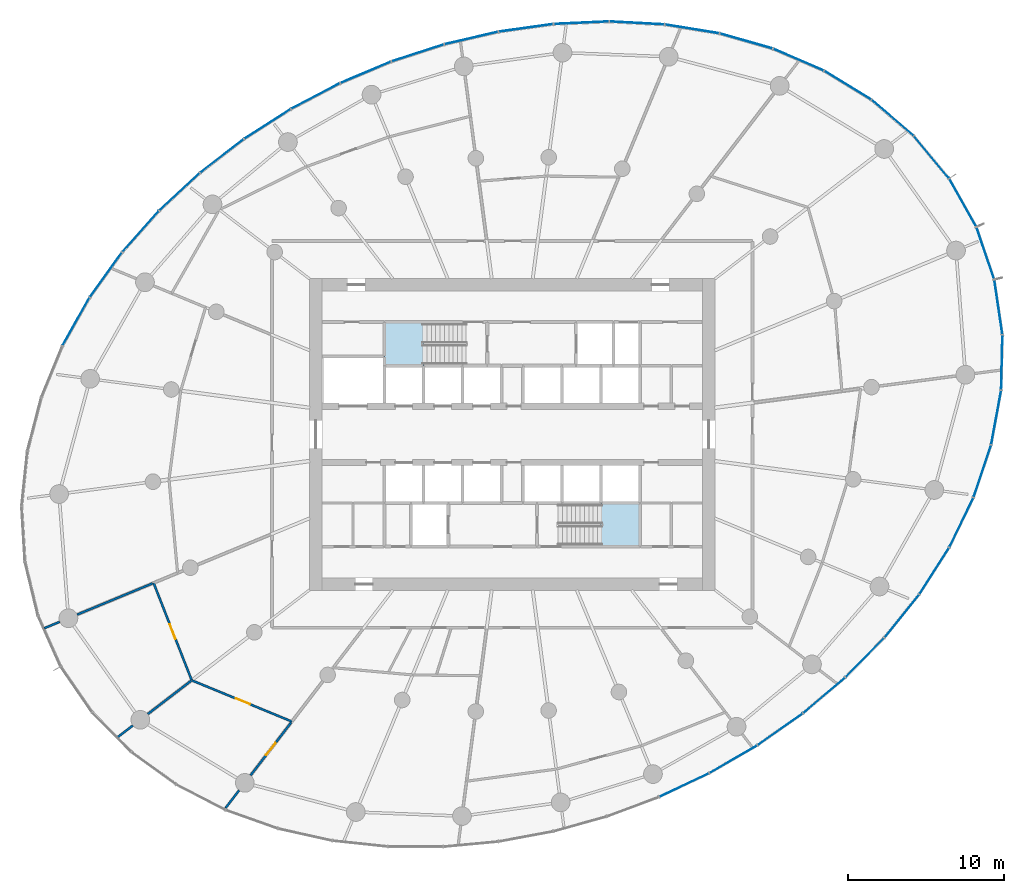
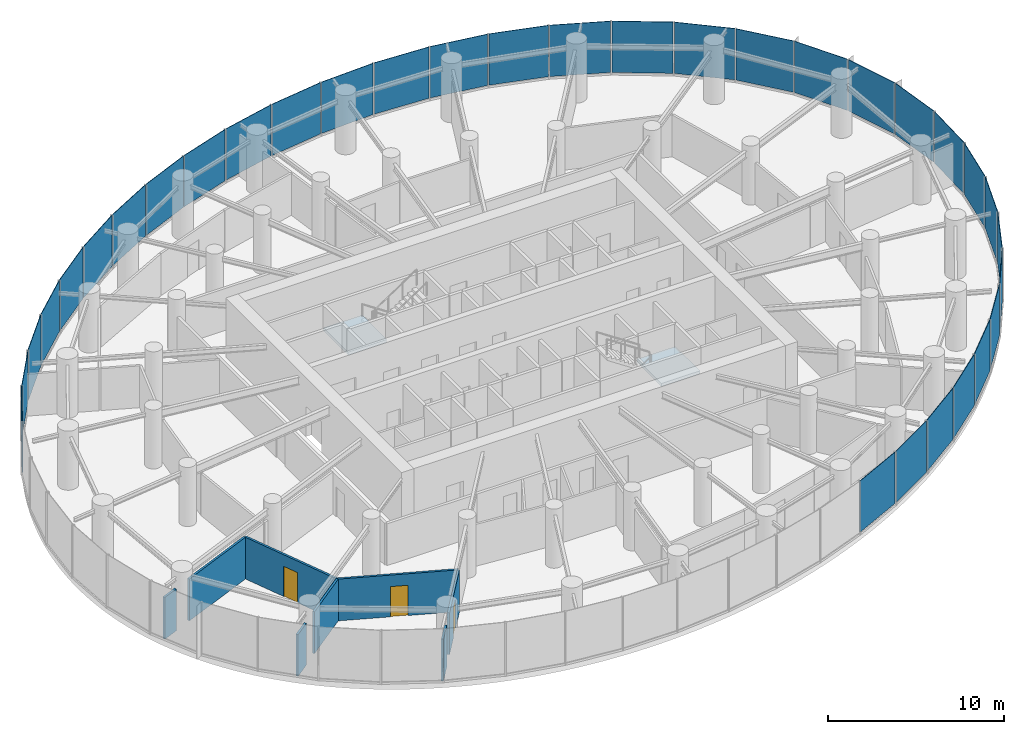
# One storey, part 9 of 17: 33 plates, 8 walls, 3 doors, 2 slabs, 3 openings, 9 elements without a shape of their own.
"""IFC4 building model written with IfcOpenShell, lengths in metres."""

from ifc_helpers import new_model, si_unit, direction, frame, frame_2d, origin, origin_2d, place, context, subcontext, project, spatial, line, indexed_curve, rectangle, outline, extrude, source, transform, mapped, material, layer, layer_set, type_object, element, fill, aggregate, save


model = new_model("IFC4")

# Units and contexts
model_context = context("Model", 3, precision=1e-05, world=origin(), true_north=direction((0.0, 1.0)))
body_context = subcontext(model_context, "Body", "Model", "MODEL_VIEW")
ifc_project = project(units=[si_unit("LENGTHUNIT", "METRE"), si_unit("AREAUNIT", "SQUARE_METRE"), si_unit("VOLUMEUNIT", "CUBIC_METRE"), si_unit("PLANEANGLEUNIT", "RADIAN"), si_unit("MASSUNIT", "GRAM", prefix="KILO")], contexts=[model_context])

# Site, building, storey
site_placement = place(None, origin())
site = spatial("IfcSite", under=ifc_project, at=site_placement, CompositionType="ELEMENT")
building_placement = place(site_placement, origin())
building = spatial("IfcBuilding", under=site, at=building_placement, Name="Spindrift Exchange Tower", CompositionType="ELEMENT")
storey_placement = place(building_placement, frame((0.0, 0.0, 92.10009765625)))
storey = spatial("IfcBuildingStorey", under=building, at=storey_placement, Name="L21", CompositionType="ELEMENT", Elevation=92.10009765625)

# Stair, slab
ifc_material_1 = material(Name="Concrete 50 MPa", Category="concrete")
stair_type = type_object("IfcStairType", Name="ST-1250-R186", PredefinedType="HALF_TURN_STAIR", material=ifc_material_1)
stair_1_placement = place(storey_placement, origin())
stair_1 = element("IfcStair", 1, at=stair_1_placement, inside=storey, type_object=stair_type, Name="L21 Exit stair ST1", PredefinedType="HALF_TURN_STAIR")
ifc_layer_1 = layer(ifc_material_1, 0.199951171875)
ifc_layer_set_1 = layer_set([ifc_layer_1], Name="SL-LANDING")
slab_type = type_object("IfcSlabType", Name="SL-LANDING", PredefinedType="LANDING", material=ifc_layer_set_1)
slab_1_placement = place(storey_placement, frame((0.0, 0.0, 1.849853515625)))
slab_1 = element("IfcSlab", 2, at=slab_1_placement, type_object=slab_type, Name="ST1 landing 1", PredefinedType="LANDING", context=body_context, shape_type="SweptSolid", body=[
    extrude(outline(indexed_curve([(46.330078125, 52.39990234375), (43.800048828125, 52.39990234375), (43.800048828125, 55.199951171875), (46.330078125, 55.199951171875)], segments=[line(1, 2, 3, 4, 1)], self_intersect=False)), origin(), (0.0, 0.0, 1.0), 0.199951171875),
])
aggregate(stair_1, [slab_1])

stair_2_placement = place(storey_placement, origin())
stair_2 = element("IfcStair", 3, at=stair_2_placement, inside=storey, type_object=stair_type, Name="L21 Exit stair ST2", PredefinedType="HALF_TURN_STAIR")
slab_2_placement = place(storey_placement, frame((0.0, 0.0, 1.849853515625)))
slab_2 = element("IfcSlab", 4, at=slab_2_placement, type_object=slab_type, Name="ST2 landing 1", PredefinedType="LANDING", context=body_context, shape_type="SweptSolid", body=[
    extrude(outline(indexed_curve([(57.669921875, 43.60009765625), (60.199951171875, 43.60009765625), (60.199951171875, 40.800048828125), (57.669921875, 40.800048828125)], segments=[line(1, 2, 3, 4, 1)], self_intersect=False)), origin(), (0.0, 0.0, 1.0), 0.199951171875),
])
aggregate(stair_2, [slab_2])

# Curtain wall, plate
ifc_material_2 = material(Name="Fritted laminated glass with bronze frame", Category="glass")
ifc_layer_2 = layer(ifc_material_2, 0.18994140625)
ifc_layer_set_2 = layer_set([ifc_layer_2], Name="ZONE 2 BRONZE FRITTED WALL")
curtain_wall_type = type_object("IfcCurtainWallType", Name="ZONE 2 BRONZE FRITTED WALL", PredefinedType="NOTDEFINED", material=ifc_layer_set_2)
curtain_wall_1_placement = place(storey_placement, origin())
curtain_wall_1 = element("IfcCurtainWall", 5, at=curtain_wall_1_placement, inside=storey, type_object=curtain_wall_type, Name="L21 Zone 2 Bronze Fritted Wall run 2", PredefinedType="NOTDEFINED")
ifc_material_3 = material(Name="Bronze fritted laminated glass, close frit", Category="glass")
ifc_layer_3 = layer(ifc_material_3, 0.033935546875)
ifc_layer_set_3 = layer_set([ifc_layer_3], Name="ZONE 2 BRONZE FRITTED WALL PANEL CLOSE FRIT 420")
plate_type_1 = type_object("IfcPlateType", Name="ZONE 2 BRONZE FRITTED WALL PANEL CLOSE FRIT 420", PredefinedType="CURTAIN_PANEL", material=ifc_layer_set_3)
shared_shape_1 = source(origin(), body_context, "Body", "SweptSolid", [
    extrude(rectangle(XDim=3.491455078125, YDim=0.033935546875, at=origin_2d()), origin(), (0.0, 0.0, 1.0), 3.56005859375),
])
plate_1_placement = place(storey_placement, frame((56.4287109375, 74.3935546875, 0.139892578125), z_axis=(0.0, 0.0, 1.0), x_axis=(-0.998961444733, -0.045563493458, 0.0)))
plate_1 = element("IfcPlate", 6, at=plate_1_placement, type_object=plate_type_1, Name="L21 panel CW-2.9", PredefinedType="CURTAIN_PANEL", context=body_context, shape_type="MappedRepresentation", body=[
    mapped(shared_shape_1, transform((0.0, 0.0, 0.0), scale=1.0)),
])

curtain_wall_2_placement = place(storey_placement, origin())
curtain_wall_2 = element("IfcCurtainWall", 7, at=curtain_wall_2_placement, inside=storey, type_object=curtain_wall_type, Name="L21 Zone 2 Bronze Fritted Wall run 3", PredefinedType="NOTDEFINED")
plate_2_placement = place(storey_placement, frame((30.6650390625, 63.556640625, 0.139892578125), z_axis=(0.0, 0.0, 1.0), x_axis=(-0.733579243684, -0.679603923794, 0.0)))
plate_2 = element("IfcPlate", 8, at=plate_2_placement, type_object=plate_type_1, Name="L21 panel CW-2.17", PredefinedType="CURTAIN_PANEL", context=body_context, shape_type="MappedRepresentation", body=[
    mapped(shared_shape_1, transform((0.0, 0.0, 0.0), scale=1.0)),
])

curtain_wall_3_placement = place(storey_placement, origin())
curtain_wall_3 = element("IfcCurtainWall", 9, at=curtain_wall_3_placement, inside=storey, type_object=curtain_wall_type, Name="L21 Zone 2 Bronze Fritted Wall run 7", PredefinedType="NOTDEFINED")
ifc_layer_4 = layer(ifc_material_3, 0.033935546875)
ifc_layer_set_4 = layer_set([ifc_layer_4], Name="ZONE 2 BRONZE FRITTED WALL PANEL CLOSE FRIT 300")
plate_type_2 = type_object("IfcPlateType", Name="ZONE 2 BRONZE FRITTED WALL PANEL CLOSE FRIT 300", PredefinedType="CURTAIN_PANEL", material=ifc_layer_set_4)
shared_shape_2 = source(origin(), body_context, "Body", "SweptSolid", [
    extrude(rectangle(XDim=3.491455078125, YDim=0.033935546875, at=origin_2d()), origin(), (0.0, 0.0, 1.0), 3.56005859375),
])
plate_3_placement = place(storey_placement, frame((72.00048828125, 31.2626953125, 0.139892578125), z_axis=(0.0, 0.0, 1.0), x_axis=(0.764110241663, 0.645085683135, 0.0)))
plate_3 = element("IfcPlate", 10, at=plate_3_placement, type_object=plate_type_2, Name="L21 panel CW-2.42", PredefinedType="CURTAIN_PANEL", context=body_context, shape_type="MappedRepresentation", body=[
    mapped(shared_shape_2, transform((0.0, 0.0, 0.0), scale=1.0)),
])

curtain_wall_4_placement = place(storey_placement, origin())
curtain_wall_4 = element("IfcCurtainWall", 11, at=curtain_wall_4_placement, inside=storey, type_object=curtain_wall_type, Name="L21 Zone 2 Bronze Fritted Wall run 8", PredefinedType="NOTDEFINED")
plate_4_placement = place(storey_placement, frame((74.6123046875, 33.685302734375, 0.139892578125), z_axis=(0.0, 0.0, 1.0), x_axis=(0.700571829698, 0.713581888387, 0.0)))
plate_4 = element("IfcPlate", 12, at=plate_4_placement, type_object=plate_type_2, Name="L21 panel CW-2.43", PredefinedType="CURTAIN_PANEL", context=body_context, shape_type="MappedRepresentation", body=[
    mapped(shared_shape_2, transform((0.0, 0.0, 0.0), scale=1.0)),
])

# Plate
shared_shape_3 = source(origin(), body_context, "Body", "SweptSolid", [
    extrude(rectangle(XDim=3.49169921875, YDim=0.033935546875, at=origin_2d()), origin(), (0.0, 0.0, 1.0), 3.56005859375),
])
plate_5_placement = place(storey_placement, frame((66.17626953125, 27.168212890625, 0.139892578125), z_axis=(0.0, 0.0, 1.0), x_axis=(0.864919373182, 0.501910826636, 0.0)))
plate_5 = element("IfcPlate", 13, at=plate_5_placement, type_object=plate_type_1, Name="L21 panel CW-2.40", PredefinedType="CURTAIN_PANEL", context=body_context, shape_type="MappedRepresentation", body=[
    mapped(shared_shape_3, transform((0.0, 0.0, 0.0), scale=1.0)),
])

shared_shape_4 = source(origin(), body_context, "Body", "SweptSolid", [
    extrude(rectangle(XDim=3.49169921875, YDim=0.033935546875, at=origin_2d()), origin(), (0.0, 0.0, 1.0), 3.56005859375),
])
plate_6_placement = place(storey_placement, frame((49.378173828125, 73.41455078125, 0.139892578125), z_axis=(0.0, 0.0, 1.0), x_axis=(-0.974079507709, -0.226205907664, 0.0)))
plate_6 = element("IfcPlate", 14, at=plate_6_placement, type_object=plate_type_2, Name="L21 panel CW-2.11", PredefinedType="CURTAIN_PANEL", context=body_context, shape_type="MappedRepresentation", body=[
    mapped(shared_shape_4, transform((0.0, 0.0, 0.0), scale=1.0)),
])

plate_7_placement = place(storey_placement, frame((45.9453125, 72.459716796875, 0.139892578125), z_axis=(0.0, 0.0, 1.0), x_axis=(-0.950987457504, -0.309229454727, 0.0)))
plate_7 = element("IfcPlate", 15, at=plate_7_placement, type_object=plate_type_2, Name="L21 panel CW-2.12", PredefinedType="CURTAIN_PANEL", context=body_context, shape_type="MappedRepresentation", body=[
    mapped(shared_shape_4, transform((0.0, 0.0, 0.0), scale=1.0)),
])

plate_8_placement = place(storey_placement, frame((39.3837890625, 69.693603515625, 0.139892578125), z_axis=(0.0, 0.0, 1.0), x_axis=(-0.885444732454, -0.464744688801, 0.0)))
plate_8 = element("IfcPlate", 16, at=plate_8_placement, type_object=plate_type_2, Name="L21 panel CW-2.14", PredefinedType="CURTAIN_PANEL", context=body_context, shape_type="MappedRepresentation", body=[
    mapped(shared_shape_4, transform((0.0, 0.0, 0.0), scale=1.0)),
])

ifc_layer_5 = layer(ifc_material_3, 0.033935546875)
ifc_layer_set_5 = layer_set([ifc_layer_5], Name="ZONE 2 BRONZE FRITTED WALL PANEL CLOSE FRIT 540")
plate_type_3 = type_object("IfcPlateType", Name="ZONE 2 BRONZE FRITTED WALL PANEL CLOSE FRIT 540", PredefinedType="CURTAIN_PANEL", material=ifc_layer_set_5)
shared_shape_5 = source(origin(), body_context, "Body", "SweptSolid", [
    extrude(rectangle(XDim=3.49169921875, YDim=0.033935546875, at=origin_2d()), origin(), (0.0, 0.0, 1.0), 3.56005859375),
])
plate_9_placement = place(storey_placement, frame((42.60595703125, 71.21533203125, 0.139892578125), z_axis=(0.0, 0.0, 1.0), x_axis=(-0.921433786288, -0.388535426297, 0.0)))
plate_9 = element("IfcPlate", 17, at=plate_9_placement, type_object=plate_type_3, Name="L21 panel CW-2.13", PredefinedType="CURTAIN_PANEL", context=body_context, shape_type="MappedRepresentation", body=[
    mapped(shared_shape_5, transform((0.0, 0.0, 0.0), scale=1.0)),
])

plate_10_placement = place(storey_placement, frame((36.302001953125, 67.904541015625, 0.139892578125), z_axis=(0.0, 0.0, 1.0), x_axis=(-0.8426347732, -0.538485504907, 0.0)))
plate_10 = element("IfcPlate", 18, at=plate_10_placement, type_object=plate_type_3, Name="L21 panel CW-2.15", PredefinedType="CURTAIN_PANEL", context=body_context, shape_type="MappedRepresentation", body=[
    mapped(shared_shape_5, transform((0.0, 0.0, 0.0), scale=1.0)),
])

plate_11_placement = place(storey_placement, frame((63.02099609375, 25.511474609375, 0.139892578125), z_axis=(0.0, 0.0, 1.0), x_axis=(0.904265952849, 0.426969655266, 0.0)))
plate_11 = element("IfcPlate", 19, at=plate_11_placement, type_object=plate_type_3, Name="L21 panel CW-2.39", PredefinedType="CURTAIN_PANEL", context=body_context, shape_type="MappedRepresentation", body=[
    mapped(shared_shape_5, transform((0.0, 0.0, 0.0), scale=1.0)),
])

plate_12_placement = place(storey_placement, frame((69.17822265625, 29.087646484375, 0.139892578125), z_axis=(0.0, 0.0, 1.0), x_axis=(0.818494799224, 0.574513936858, 0.0)))
plate_12 = element("IfcPlate", 20, at=plate_12_placement, type_object=plate_type_3, Name="L21 panel CW-2.41", PredefinedType="CURTAIN_PANEL", context=body_context, shape_type="MappedRepresentation", body=[
    mapped(shared_shape_5, transform((0.0, 0.0, 0.0), scale=1.0)),
])

aggregate(curtain_wall_3, [plate_11, plate_5, plate_12, plate_3])

shared_shape_6 = source(origin(), body_context, "Body", "SweptSolid", [
    extrude(rectangle(XDim=3.4912109375, YDim=0.033935546875, at=origin_2d()), origin(), (0.0, 0.0, 1.0), 3.56005859375),
])
plate_13_placement = place(storey_placement, frame((59.990478515625, 74.378662109375, 0.139892578125), z_axis=(0.0, 0.0, 1.0), x_axis=(-0.998549572572, 0.053840051231, 0.0)))
plate_13 = element("IfcPlate", 21, at=plate_13_placement, type_object=plate_type_2, Name="L21 panel CW-2.8", PredefinedType="CURTAIN_PANEL", context=body_context, shape_type="MappedRepresentation", body=[
    mapped(shared_shape_6, transform((0.0, 0.0, 0.0), scale=1.0)),
])

# Curtain wall, plate
curtain_wall_5_placement = place(storey_placement, origin())
curtain_wall_5 = element("IfcCurtainWall", 22, at=curtain_wall_5_placement, inside=storey, type_object=curtain_wall_type, Name="L21 Zone 2 Bronze Fritted Wall run 4", PredefinedType="NOTDEFINED")
plate_14_placement = place(storey_placement, frame((25.94384765625, 58.234130859375, 0.139892578125), z_axis=(0.0, 0.0, 1.0), x_axis=(-0.584453617972, -0.811427118378, 0.0)))
plate_14 = element("IfcPlate", 23, at=plate_14_placement, type_object=plate_type_2, Name="L21 panel CW-2.19", PredefinedType="CURTAIN_PANEL", context=body_context, shape_type="MappedRepresentation", body=[
    mapped(shared_shape_6, transform((0.0, 0.0, 0.0), scale=1.0)),
])

# Plate
shared_shape_7 = source(origin(), body_context, "Body", "SweptSolid", [
    extrude(rectangle(XDim=3.4912109375, YDim=0.033935546875, at=origin_2d()), origin(), (0.0, 0.0, 1.0), 3.56005859375),
])
plate_15_placement = place(storey_placement, frame((28.17138671875, 61.0126953125, 0.139892578125), z_axis=(0.0, 0.0, 1.0), x_axis=(-0.664877132173, -0.746952742222, 0.0)))
plate_15 = element("IfcPlate", 24, at=plate_15_placement, type_object=plate_type_3, Name="L21 panel CW-2.18", PredefinedType="CURTAIN_PANEL", context=body_context, shape_type="MappedRepresentation", body=[
    mapped(shared_shape_7, transform((0.0, 0.0, 0.0), scale=1.0)),
])

plate_16_placement = place(storey_placement, frame((76.978271484375, 36.347900390625, 0.139892578125), z_axis=(0.0, 0.0, 1.0), x_axis=(0.626273226092, 0.779603646913, 0.0)))
plate_16 = element("IfcPlate", 25, at=plate_16_placement, type_object=plate_type_3, Name="L21 panel CW-2.44", PredefinedType="CURTAIN_PANEL", context=body_context, shape_type="MappedRepresentation", body=[
    mapped(shared_shape_7, transform((0.0, 0.0, 0.0), scale=1.0)),
])

# Curtain wall, plate
curtain_wall_6_placement = place(storey_placement, origin())
curtain_wall_6 = element("IfcCurtainWall", 26, at=curtain_wall_6_placement, inside=storey, type_object=curtain_wall_type, Name="L21 Zone 2 Bronze Fritted Wall run 9", PredefinedType="NOTDEFINED")
shared_shape_8 = source(origin(), body_context, "Body", "SweptSolid", [
    extrude(rectangle(XDim=3.48779296875, YDim=0.033935546875, at=origin_2d()), origin(), (0.0, 0.0, 1.0), 3.56005859375),
])
plate_17_placement = place(storey_placement, frame((82.3369140625, 59.608154296875, 0.139892578125), z_axis=(0.0, 0.0, 1.0), x_axis=(-0.322082293358, 0.946711675382, 0.0)))
plate_17 = element("IfcPlate", 27, at=plate_17_placement, type_object=plate_type_1, Name="L21 panel CW-2.51", PredefinedType="CURTAIN_PANEL", context=body_context, shape_type="MappedRepresentation", body=[
    mapped(shared_shape_8, transform((0.0, 0.0, 0.0), scale=1.0)),
])

curtain_wall_7_placement = place(storey_placement, origin())
curtain_wall_7 = element("IfcCurtainWall", 28, at=curtain_wall_7_placement, inside=storey, type_object=curtain_wall_type, Name="L21 Zone 2 Bronze Fritted Wall run 1", PredefinedType="NOTDEFINED")
shared_shape_9 = source(origin(), body_context, "Body", "SweptSolid", [
    extrude(rectangle(XDim=3.48779296875, YDim=0.033935546875, at=origin_2d()), origin(), (0.0, 0.0, 1.0), 3.56005859375),
])
plate_18_placement = place(storey_placement, frame((80.89013671875, 62.847412109375, 0.139892578125), z_axis=(0.0, 0.0, 1.0), x_axis=(-0.490156980973, 0.871634174412, 0.0)))
plate_18 = element("IfcPlate", 29, at=plate_18_placement, type_object=plate_type_3, Name="L21 panel CW-2.1", PredefinedType="CURTAIN_PANEL", context=body_context, shape_type="MappedRepresentation", body=[
    mapped(shared_shape_9, transform((0.0, 0.0, 0.0), scale=1.0)),
])

# Plate
shared_shape_10 = source(origin(), body_context, "Body", "SweptSolid", [
    extrude(rectangle(XDim=3.488037109375, YDim=0.033935546875, at=origin_2d()), origin(), (0.0, 0.0, 1.0), 3.56005859375),
])
plate_19_placement = place(storey_placement, frame((83.172119140625, 56.159423828125, 0.139892578125), z_axis=(0.0, 0.0, 1.0), x_axis=(-0.146727021577, 0.989177022145, 0.0)))
plate_19 = element("IfcPlate", 30, at=plate_19_placement, type_object=plate_type_2, Name="L21 panel CW-2.50", PredefinedType="CURTAIN_PANEL", context=body_context, shape_type="MappedRepresentation", body=[
    mapped(shared_shape_10, transform((0.0, 0.0, 0.0), scale=1.0)),
])

shared_shape_11 = source(origin(), body_context, "Body", "SweptSolid", [
    extrude(rectangle(XDim=3.489990234375, YDim=0.033935546875, at=origin_2d()), origin(), (0.0, 0.0, 1.0), 3.56005859375),
])
plate_20_placement = place(storey_placement, frame((70.35595703125, 72.025390625, 0.139892578125), z_axis=(0.0, 0.0, 1.0), x_axis=(-0.918231544984, 0.396043974574, 0.0)))
plate_20 = element("IfcPlate", 31, at=plate_20_placement, type_object=plate_type_3, Name="L21 panel CW-2.5", PredefinedType="CURTAIN_PANEL", context=body_context, shape_type="MappedRepresentation", body=[
    mapped(shared_shape_11, transform((0.0, 0.0, 0.0), scale=1.0)),
])

plate_21_placement = place(storey_placement, frame((82.142578125, 45.63818359375, 0.139892578125), z_axis=(0.0, 0.0, 1.0), x_axis=(0.317784605475, 0.948162931422, 0.0)))
plate_21 = element("IfcPlate", 32, at=plate_21_placement, type_object=plate_type_3, Name="L21 panel CW-2.47", PredefinedType="CURTAIN_PANEL", context=body_context, shape_type="MappedRepresentation", body=[
    mapped(shared_shape_11, transform((0.0, 0.0, 0.0), scale=1.0)),
])

shared_shape_12 = source(origin(), body_context, "Body", "SweptSolid", [
    extrude(rectangle(XDim=3.490478515625, YDim=0.033935546875, at=origin_2d()), origin(), (0.0, 0.0, 1.0), 3.56005859375),
])
plate_22_placement = place(storey_placement, frame((67.0048828125, 73.220947265625, 0.139892578125), z_axis=(0.0, 0.0, 1.0), x_axis=(-0.961539749197, 0.274665816429, 0.0)))
plate_22 = element("IfcPlate", 33, at=plate_22_placement, type_object=plate_type_2, Name="L21 panel CW-2.6", PredefinedType="CURTAIN_PANEL", context=body_context, shape_type="MappedRepresentation", body=[
    mapped(shared_shape_12, transform((0.0, 0.0, 0.0), scale=1.0)),
])

shared_shape_13 = source(origin(), body_context, "Body", "SweptSolid", [
    extrude(rectangle(XDim=3.491455078125, YDim=0.033935546875, at=origin_2d()), origin(), (0.0, 0.0, 1.0), 3.56005859375),
])
plate_23_placement = place(storey_placement, frame((52.88134765625, 74.06494140625, 0.139892578125), z_axis=(0.0, 0.0, 1.0), x_axis=(-0.990349271938, -0.138594082022, 0.0)))
plate_23 = element("IfcPlate", 34, at=plate_23_placement, type_object=plate_type_3, Name="L21 panel CW-2.10", PredefinedType="CURTAIN_PANEL", context=body_context, shape_type="MappedRepresentation", body=[
    mapped(shared_shape_13, transform((0.0, 0.0, 0.0), scale=1.0)),
])

plate_24_placement = place(storey_placement, frame((33.38623046875, 65.856201171875, 0.139892578125), z_axis=(0.0, 0.0, 1.0), x_axis=(-0.792372698541, -0.610037299357, 0.0)))
plate_24 = element("IfcPlate", 35, at=plate_24_placement, type_object=plate_type_3, Name="L21 panel CW-2.16", PredefinedType="CURTAIN_PANEL", context=body_context, shape_type="MappedRepresentation", body=[
    mapped(shared_shape_13, transform((0.0, 0.0, 0.0), scale=1.0)),
])

aggregate(curtain_wall_2, [plate_9, plate_8, plate_10, plate_24, plate_2, plate_15])

shared_shape_14 = source(origin(), body_context, "Body", "SweptSolid", [
    extrude(rectangle(XDim=3.49072265625, YDim=0.033935546875, at=origin_2d()), origin(), (0.0, 0.0, 1.0), 3.56005859375),
])
plate_25_placement = place(storey_placement, frame((24.02783203125, 55.2333984375, 0.139892578125), z_axis=(0.0, 0.0, 1.0), x_axis=(-0.490166108678, -0.871629041453, 0.0)))
plate_25 = element("IfcPlate", 36, at=plate_25_placement, type_object=plate_type_2, Name="L21 panel CW-2.20", PredefinedType="CURTAIN_PANEL", context=body_context, shape_type="MappedRepresentation", body=[
    mapped(shared_shape_14, transform((0.0, 0.0, 0.0), scale=1.0)),
])

aggregate(curtain_wall_5, [plate_14, plate_25])

shared_shape_15 = source(origin(), body_context, "Body", "SweptSolid", [
    extrude(rectangle(XDim=3.490478515625, YDim=0.033935546875, at=origin_2d()), origin(), (0.0, 0.0, 1.0), 3.56005859375),
])
plate_26_placement = place(storey_placement, frame((80.797119140625, 42.344482421875, 0.139892578125), z_axis=(0.0, 0.0, 1.0), x_axis=(0.437100069001, 0.899412880539, 0.0)))
plate_26 = element("IfcPlate", 37, at=plate_26_placement, type_object=plate_type_1, Name="L21 panel CW-2.46", PredefinedType="CURTAIN_PANEL", context=body_context, shape_type="MappedRepresentation", body=[
    mapped(shared_shape_15, transform((0.0, 0.0, 0.0), scale=1.0)),
])

shared_shape_16 = source(origin(), body_context, "Body", "SweptSolid", [
    extrude(rectangle(XDim=3.489501953125, YDim=0.033935546875, at=origin_2d()), origin(), (0.0, 0.0, 1.0), 3.56005859375),
])
plate_27_placement = place(storey_placement, frame((73.51220703125, 70.387939453125, 0.139892578125), z_axis=(0.0, 0.0, 1.0), x_axis=(-0.852590004164, 0.522580409889, 0.0)))
plate_27 = element("IfcPlate", 38, at=plate_27_placement, type_object=plate_type_2, Name="L21 panel CW-2.4", PredefinedType="CURTAIN_PANEL", context=body_context, shape_type="MappedRepresentation", body=[
    mapped(shared_shape_16, transform((0.0, 0.0, 0.0), scale=1.0)),
])

shared_shape_17 = source(origin(), body_context, "Body", "SweptSolid", [
    extrude(rectangle(XDim=3.48876953125, YDim=0.033935546875, at=origin_2d()), origin(), (0.0, 0.0, 1.0), 3.56005859375),
])
plate_28_placement = place(storey_placement, frame((76.38623046875, 68.299072265625, 0.139892578125), z_axis=(0.0, 0.0, 1.0), x_axis=(-0.760234780593, 0.649648426749, 0.0)))
plate_28 = element("IfcPlate", 39, at=plate_28_placement, type_object=plate_type_3, Name="L21 panel CW-2.3", PredefinedType="CURTAIN_PANEL", context=body_context, shape_type="MappedRepresentation", body=[
    mapped(shared_shape_17, transform((0.0, 0.0, 0.0), scale=1.0)),
])

shared_shape_18 = source(origin(), body_context, "Body", "SweptSolid", [
    extrude(rectangle(XDim=3.488037109375, YDim=0.033935546875, at=origin_2d()), origin(), (0.0, 0.0, 1.0), 3.56005859375),
])
plate_29_placement = place(storey_placement, frame((78.87890625, 65.770751953125, 0.139892578125), z_axis=(0.0, 0.0, 1.0), x_axis=(-0.638775874614, 0.769392865844, 0.0)))
plate_29 = element("IfcPlate", 40, at=plate_29_placement, type_object=plate_type_3, Name="L21 panel CW-2.2", PredefinedType="CURTAIN_PANEL", context=body_context, shape_type="MappedRepresentation", body=[
    mapped(shared_shape_18, transform((0.0, 0.0, 0.0), scale=1.0)),
])

aggregate(curtain_wall_7, [plate_18, plate_29, plate_28, plate_27, plate_20, plate_22])

shared_shape_19 = source(origin(), body_context, "Body", "SweptSolid", [
    extrude(rectangle(XDim=3.490966796875, YDim=0.033935546875, at=origin_2d()), origin(), (0.0, 0.0, 1.0), 3.56005859375),
])
plate_30_placement = place(storey_placement, frame((63.531005859375, 73.99658203125, 0.139892578125), z_axis=(0.0, 0.0, 1.0), x_axis=(-0.987046256598, 0.160435929066, 0.0)))
plate_30 = element("IfcPlate", 41, at=plate_30_placement, type_object=plate_type_2, Name="L21 panel CW-2.7", PredefinedType="CURTAIN_PANEL", context=body_context, shape_type="MappedRepresentation", body=[
    mapped(shared_shape_19, transform((0.0, 0.0, 0.0), scale=1.0)),
])

aggregate(curtain_wall_1, [plate_30, plate_13, plate_1, plate_23, plate_6, plate_7])

shared_shape_20 = source(origin(), body_context, "Body", "SweptSolid", [
    extrude(rectangle(XDim=3.490966796875, YDim=0.033935546875, at=origin_2d()), origin(), (0.0, 0.0, 1.0), 3.56005859375),
])
plate_31_placement = place(storey_placement, frame((79.056396484375, 39.239501953125, 0.139892578125), z_axis=(0.0, 0.0, 1.0), x_axis=(0.539195649571, 0.842180533784, 0.0)))
plate_31 = element("IfcPlate", 42, at=plate_31_placement, type_object=plate_type_3, Name="L21 panel CW-2.45", PredefinedType="CURTAIN_PANEL", context=body_context, shape_type="MappedRepresentation", body=[
    mapped(shared_shape_20, transform((0.0, 0.0, 0.0), scale=1.0)),
])

shared_shape_21 = source(origin(), body_context, "Body", "SweptSolid", [
    extrude(rectangle(XDim=3.489501953125, YDim=0.033935546875, at=origin_2d()), origin(), (0.0, 0.0, 1.0), 3.56005859375),
])
plate_32_placement = place(storey_placement, frame((83.029296875, 49.081298828125, 0.139892578125), z_axis=(0.0, 0.0, 1.0), x_axis=(0.179719123909, 0.983717965934, 0.0)))
plate_32 = element("IfcPlate", 43, at=plate_32_placement, type_object=plate_type_1, Name="L21 panel CW-2.48", PredefinedType="CURTAIN_PANEL", context=body_context, shape_type="MappedRepresentation", body=[
    mapped(shared_shape_21, transform((0.0, 0.0, 0.0), scale=1.0)),
])

aggregate(curtain_wall_4, [plate_4, plate_16, plate_31, plate_26, plate_21, plate_32])

shared_shape_22 = source(origin(), body_context, "Body", "SweptSolid", [
    extrude(rectangle(XDim=3.48876953125, YDim=0.033935546875, at=origin_2d()), origin(), (0.0, 0.0, 1.0), 3.56005859375),
])
plate_33_placement = place(storey_placement, frame((83.3916015625, 52.615966796875, 0.139892578125), z_axis=(0.0, 0.0, 1.0), x_axis=(0.023514398845, 0.999723498297, 0.0)))
plate_33 = element("IfcPlate", 44, at=plate_33_placement, type_object=plate_type_2, Name="L21 panel CW-2.49", PredefinedType="CURTAIN_PANEL", context=body_context, shape_type="MappedRepresentation", body=[
    mapped(shared_shape_22, transform((0.0, 0.0, 0.0), scale=1.0)),
])

aggregate(curtain_wall_6, [plate_33, plate_19, plate_17])

# Wall, opening, door
ifc_material_4 = material(Name="Fire-rated plasterboard partition", Category="gypsum")
ifc_layer_6 = layer(ifc_material_4, 0.139892578125)
ifc_layer_set_6 = layer_set([ifc_layer_6], Name="W-PLANT-140")
wall_type = type_object("IfcWallType", Name="W-PLANT-140", PredefinedType="PARTITIONING", material=ifc_layer_set_6)
wall_1_placement = place(storey_placement, frame((37.873291015625, 29.58984375, 0.0), z_axis=(0.0, 0.0, 1.0), x_axis=(-0.92486289716, 0.380300698733, 0.0)))
wall_1 = element("IfcWall", 45, at=wall_1_placement, inside=storey, type_object=wall_type, Name="L21 Partition wall 65", PredefinedType="PARTITIONING", context=body_context, shape_type="SweptSolid", body=[
    extrude(rectangle(XDim=6.945556640625, YDim=0.139892578125, at=frame_2d((3.47265625, 0.0))), origin(), (0.0, 0.0, 1.0), 2.89990234375),
])
opening_1_placement = place(wall_1_placement, frame((2.8955078125, 0.0, 0.0)))
opening_1 = element("IfcOpeningElement", 46, at=opening_1_placement, cuts=wall_1, Name="Opening L21-D44", PredefinedType="OPENING", context=body_context, shape_type="SweptSolid", body=[
    extrude(rectangle(XDim=1.0, YDim=2.10009765625, at=frame_2d((0.5, 1.050048828125))), frame((0.0, 0.079833984375, 0.0), z_axis=(0.0, -1.0, 0.0), x_axis=(1.0, 0.0, 0.0)), (0.0, 0.0, 1.0), 0.159912109375),
])
ifc_material_5 = material(Name="Timber-core fire door", Category="wood")
door_type = type_object("IfcDoorType", Name="DR-ROOM-1000", OperationType="NOTDEFINED", PredefinedType="DOOR", material=ifc_material_5)
shared_shape_23 = source(origin(), body_context, "Body", "SweptSolid", [
    extrude(rectangle(XDim=1.0, YDim=2.10009765625, at=frame_2d((0.5, 1.050048828125))), frame((0.0, 0.02490234375, 0.0), z_axis=(0.0, -1.0, 0.0), x_axis=(1.0, 0.0, 0.0)), (0.0, 0.0, 1.0), 0.050048828125),
])
door_1_placement = place(opening_1_placement, origin())
door_1 = element("IfcDoor", 47, at=door_1_placement, inside=storey, type_object=door_type, Name="L21 Door 44", OperationType="SINGLE_SWING_LEFT", OverallHeight=2.10009765625, OverallWidth=1.0, PredefinedType="DOOR", context=body_context, shape_type="MappedRepresentation", body=[
    mapped(shared_shape_23, transform((0.0, 0.0, 0.0), scale=1.0)),
])
fill(opening_1, door_1)

wall_2_placement = place(storey_placement, frame((31.438720703125, 32.25927734375, 0.0), z_axis=(0.0, 0.0, 1.0), x_axis=(-0.364570341209, 0.931175851443, 0.0)))
wall_2 = element("IfcWall", 48, at=wall_2_placement, inside=storey, type_object=wall_type, Name="L21 Partition wall 66", PredefinedType="PARTITIONING", context=body_context, shape_type="SweptSolid", body=[
    extrude(rectangle(XDim=6.67529296875, YDim=0.139892578125, at=frame_2d((3.337646484375, 0.0))), origin(), (0.0, 0.0, 1.0), 2.89990234375),
])
opening_2_placement = place(wall_2_placement, frame((2.825439453125, 0.0, 0.0)))
opening_2 = element("IfcOpeningElement", 49, at=opening_2_placement, cuts=wall_2, Name="Opening L21-D43", PredefinedType="OPENING", context=body_context, shape_type="SweptSolid", body=[
    extrude(rectangle(XDim=1.0, YDim=2.10009765625, at=frame_2d((0.5, 1.050048828125))), frame((0.0, 0.079833984375, 0.0), z_axis=(0.0, -1.0, 0.0), x_axis=(1.0, 0.0, 0.0)), (0.0, 0.0, 1.0), 0.159912109375),
])
door_2_placement = place(opening_2_placement, origin())
door_2 = element("IfcDoor", 50, at=door_2_placement, inside=storey, type_object=door_type, Name="L21 Door 43", OperationType="SINGLE_SWING_RIGHT", OverallHeight=2.10009765625, OverallWidth=1.0, PredefinedType="DOOR", context=body_context, shape_type="MappedRepresentation", body=[
    mapped(shared_shape_23, transform((0.0, 0.0, 0.0), scale=1.0)),
])
fill(opening_2, door_2)

# Wall
wall_3_placement = place(storey_placement, frame((28.9404296875, 38.448486328125, 0.0), z_axis=(0.0, 0.0, 1.0), x_axis=(-0.923869625223, -0.382707349798, 0.0)))
element("IfcWall", 51, at=wall_3_placement, inside=storey, type_object=wall_type, Name="L21 Partition wall 85", PredefinedType="PARTITIONING", context=body_context, shape_type="SweptSolid", body=[
    extrude(rectangle(XDim=5.235595703125, YDim=0.139892578125, at=frame_2d((2.61767578125, 0.0))), origin(), (0.0, 0.0, 1.0), 2.89990234375),
])

# Wall, opening, door
wall_4_placement = place(storey_placement, frame((37.8291015625, 29.5322265625, 0.0), z_axis=(0.0, 0.0, 1.0), x_axis=(-0.608729505252, -0.793377835231, 0.0)))
wall_4 = element("IfcWall", 52, at=wall_4_placement, inside=storey, type_object=wall_type, Name="L21 Partition wall 92", PredefinedType="PARTITIONING", context=body_context, shape_type="SweptSolid", body=[
    extrude(rectangle(XDim=4.282470703125, YDim=0.139892578125, at=frame_2d((2.14111328125, 0.0))), origin(), (0.0, 0.0, 1.0), 2.89990234375),
])
opening_3_placement = place(wall_4_placement, frame((1.64990234375, 0.0, 0.0)))
opening_3 = element("IfcOpeningElement", 53, at=opening_3_placement, cuts=wall_4, Name="Opening L21-D29", PredefinedType="OPENING", context=body_context, shape_type="SweptSolid", body=[
    extrude(rectangle(XDim=1.0, YDim=2.10009765625, at=frame_2d((0.5, 1.050048828125))), frame((0.0, 0.079833984375, 0.0), z_axis=(0.0, -1.0, 0.0), x_axis=(1.0, 0.0, 0.0)), (0.0, 0.0, 1.0), 0.159912109375),
])
door_3_placement = place(opening_3_placement, origin())
door_3 = element("IfcDoor", 54, at=door_3_placement, inside=storey, type_object=door_type, Name="L21 Door 29", OperationType="SINGLE_SWING_RIGHT", OverallHeight=2.10009765625, OverallWidth=1.0, PredefinedType="DOOR", context=body_context, shape_type="MappedRepresentation", body=[
    mapped(shared_shape_23, transform((0.0, 0.0, 0.0), scale=1.0)),
])
fill(opening_3, door_3)

# Walls
wall_5_placement = place(storey_placement, frame((31.426025390625, 32.212890625, 0.0), z_axis=(0.0, 0.0, 1.0), x_axis=(-0.793398837897, -0.608702130787, 0.0)))
element("IfcWall", 55, at=wall_5_placement, inside=storey, type_object=wall_type, Name="L21 Partition wall 98", PredefinedType="PARTITIONING", context=body_context, shape_type="SweptSolid", body=[
    extrude(rectangle(XDim=3.522705078125, YDim=0.139892578125, at=frame_2d((1.76123046875, 0.0))), origin(), (0.0, 0.0, 1.0), 2.89990234375),
])
wall_6_placement = place(storey_placement, frame((34.486328125, 25.17578125, 0.0), z_axis=(0.0, 0.0, 1.0), x_axis=(-0.608818785139, -0.79330932609, 0.0)))
element("IfcWall", 56, at=wall_6_placement, inside=storey, type_object=wall_type, Name="L21 Partition wall 124", PredefinedType="PARTITIONING", context=body_context, shape_type="SweptSolid", body=[
    extrude(rectangle(XDim=1.42919921875, YDim=0.139892578125, at=frame_2d((0.714599609375, 0.0))), origin(), (0.0, 0.0, 1.0), 2.89990234375),
])
wall_7_placement = place(storey_placement, frame((27.67236328125, 29.332763671875, 0.0), z_axis=(0.0, 0.0, 1.0), x_axis=(-0.7932870498, -0.608847810721, 0.0)))
element("IfcWall", 57, at=wall_7_placement, inside=storey, type_object=wall_type, Name="L21 Partition wall 129", PredefinedType="PARTITIONING", context=body_context, shape_type="SweptSolid", body=[
    extrude(rectangle(XDim=1.23095703125, YDim=0.139892578125, at=frame_2d((0.615478515625, 0.0))), origin(), (0.0, 0.0, 1.0), 2.89990234375),
])
wall_8_placement = place(storey_placement, frame((22.985595703125, 35.981689453125, 0.0), z_axis=(0.0, 0.0, 1.0), x_axis=(-0.923936411435, -0.382546085621, 0.0)))
element("IfcWall", 58, at=wall_8_placement, inside=storey, type_object=wall_type, Name="L21 Partition wall 132", PredefinedType="PARTITIONING", context=body_context, shape_type="SweptSolid", body=[
    extrude(rectangle(XDim=1.07275390625, YDim=0.139892578125, at=frame_2d((0.536376953125, 0.0))), origin(), (0.0, 0.0, 1.0), 2.89990234375),
])

save(model, "model.ifc")
